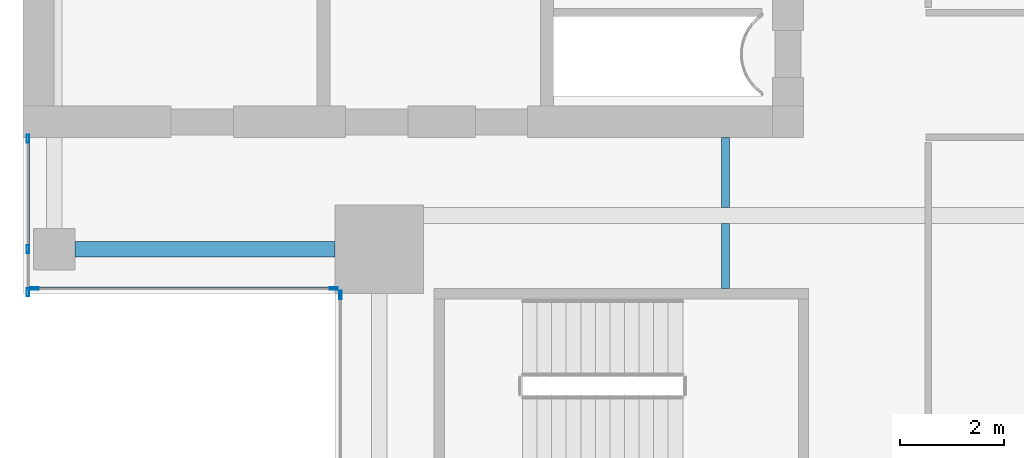
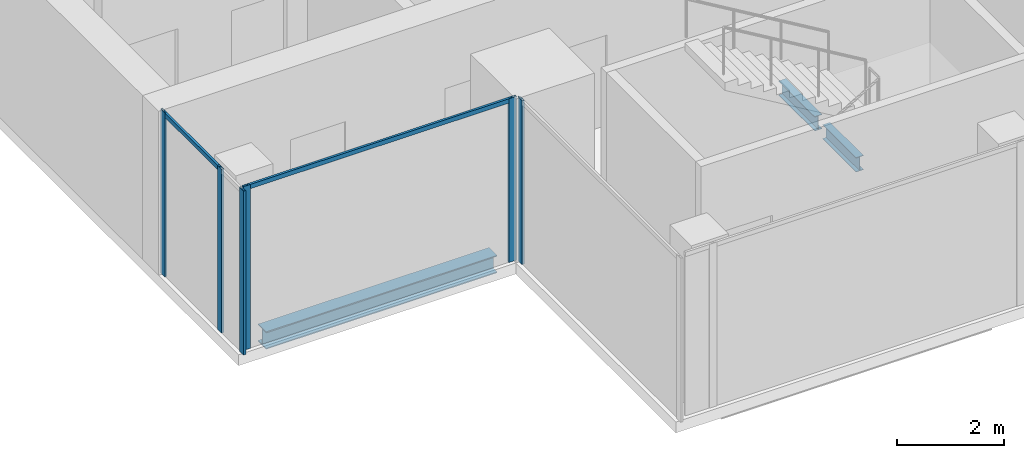
# One storey, part 3 of 28: 8 members, 3 beams, 3 elements without a shape of their own.
"""IFC4 building model written with IfcOpenShell, lengths in metres."""

import ifcopenshell
import ifcopenshell.guid

model = None  # the IFC model being written
_history = None  # IfcOwnerHistory: only IFC2X3 demands one
_inside = {}  # id of a spatial element -> (the spatial element, [elements in it])
_under = {}  # id of a project, library or spatial element -> (it, [spatial elements below it])
_declared = {}  # id of a project -> (the project, [libraries it declares])
_typed = {}  # id of a type object -> (the type object, [elements of that type])
_made_of = {}  # id of a material, layer set ... -> (it, [elements and type objects made of it])


def new_model(schema):
    """Start an empty IFC model of exactly this schema.

    Asked for "IFC4X3", IfcOpenShell would pick the latest addendum, in which some entities
    have other attributes; the version numbers below select the first issue.
    IFC2X3 requires an IfcOwnerHistory on every rooted entity: one is made here for all.
    """
    global model, _history
    if schema == "IFC4X3":
        model = ifcopenshell.file(schema_version=(4, 3, 0, 0))
    else:
        model = ifcopenshell.file(schema=schema)
    _inside.clear()
    _under.clear()
    _declared.clear()
    _typed.clear()
    _made_of.clear()
    _history = None
    if model.schema == "IFC2X3":
        org = make("IfcOrganization", Name="unknown")
        user = make(
            "IfcPersonAndOrganization",
            ThePerson=make("IfcPerson", FamilyName="unknown"),
            TheOrganization=org,
        )
        app = make(
            "IfcApplication",
            ApplicationDeveloper=org,
            Version="unknown",
            ApplicationFullName="unknown",
            ApplicationIdentifier="unknown",
        )
        _history = make(
            "IfcOwnerHistory",
            OwningUser=user,
            OwningApplication=app,
            ChangeAction="ADDED",
            CreationDate=0,
        )
    return model


def make(cls, **values):
    """One entity of the class cls with the attributes given. An attribute that is None is left unset."""
    return model.create_entity(
        cls, **{name: value for name, value in values.items() if value is not None}
    )


def rooted(cls, **values):
    """An entity with a GlobalId (a new one), such as an element, a storey or a relation."""
    return make(cls, GlobalId=ifcopenshell.guid.new(), OwnerHistory=_history, **values)


def si_unit(unit_type, name, prefix=None):
    """IfcSIUnit, for example si_unit("LENGTHUNIT", "METRE", prefix="MILLI")."""
    return make("IfcSIUnit", UnitType=unit_type, Prefix=prefix, Name=name)


def assignment(units):
    """IfcUnitAssignment: the units of a project."""
    return None if units is None else make("IfcUnitAssignment", Units=units)


def point(xyz):
    """IfcCartesianPoint."""
    return None if xyz is None else make("IfcCartesianPoint", Coordinates=xyz)


def direction(xyz):
    """IfcDirection."""
    return None if xyz is None else make("IfcDirection", DirectionRatios=xyz)


def frame(location, z_axis=None, x_axis=None):
    """IfcAxis2Placement3D, a coordinate frame: its origin and axes. An axis left out is left unset."""
    return make(
        "IfcAxis2Placement3D",
        Location=point(location),
        Axis=direction(z_axis),
        RefDirection=direction(x_axis),
    )


def frame_2d(location, x_axis=None):
    """IfcAxis2Placement2D, a coordinate frame in the plane: its origin and x axis."""
    return make(
        "IfcAxis2Placement2D", Location=point(location), RefDirection=direction(x_axis)
    )


def origin():
    """The frame at (0, 0, 0) with its axes left unset."""
    return frame((0.0, 0.0, 0.0))


def origin_2d():
    """The frame at (0, 0) in the plane with its x axis left unset."""
    return frame_2d((0.0, 0.0))


def place(relative_to, where):
    """IfcLocalPlacement: puts the frame where relative to a parent placement (None: the world)."""
    return make(
        "IfcLocalPlacement", PlacementRelTo=relative_to, RelativePlacement=where
    )


def context(
    kind, dimensions, precision=None, world=None, true_north=None, identifier=None
):
    """IfcGeometricRepresentationContext, for example the 3D "Model" context."""
    return make(
        "IfcGeometricRepresentationContext",
        ContextIdentifier=identifier,
        ContextType=kind,
        CoordinateSpaceDimension=dimensions,
        Precision=precision,
        WorldCoordinateSystem=world,
        TrueNorth=true_north,
    )


def subcontext(parent, identifier, kind, view, scale=None):
    """IfcGeometricRepresentationSubContext, for example "Body" below "Model"."""
    return make(
        "IfcGeometricRepresentationSubContext",
        ContextIdentifier=identifier,
        ContextType=kind,
        ParentContext=parent,
        TargetScale=scale,
        TargetView=view,
    )


def project(units=None, contexts=None):
    """IfcProject with its units and contexts."""
    return rooted(
        "IfcProject",
        Name="project",
        RepresentationContexts=contexts,
        UnitsInContext=assignment(units),
    )


def spatial(cls, under=None, at=None, **own):
    """A site, building, storey or space (cls), placed at a placement, below another one or the project."""
    s = rooted(cls, ObjectPlacement=at, **own)
    if under is not None:
        _under.setdefault(under.id(), (under, []))[1].append(s)
    return s


def profile(cls, at=None, kind="AREA", **sizes):
    """A parametric profile (cls). Its sizes go by their IFC names, for example OverallWidth=200.0."""
    return make(cls, ProfileType=kind, Position=at, **sizes)


def hollow_rectangle(**sizes):
    """IfcRectangleHollowProfileDef."""
    return profile("IfcRectangleHollowProfileDef", **sizes)


def i_section(**sizes):
    """IfcIShapeProfileDef."""
    return profile("IfcIShapeProfileDef", **sizes)


def extrude(swept, where, along, depth):
    """IfcExtrudedAreaSolid: the profile swept, set in the frame where, extruded along a direction by depth."""
    return make(
        "IfcExtrudedAreaSolid",
        SweptArea=swept,
        Position=where,
        ExtrudedDirection=direction(along),
        Depth=depth,
    )


def shape(context_of_items, identifier, shape_type, items):
    """IfcShapeRepresentation: the items that make up one representation, for example the "Body"."""
    return make(
        "IfcShapeRepresentation",
        ContextOfItems=context_of_items,
        RepresentationIdentifier=identifier,
        RepresentationType=shape_type,
        Items=items,
    )


def source(mapping_origin, context_of_items, identifier, shape_type, items):
    """IfcRepresentationMap: a shape defined once, which mapped items show again and again."""
    return make(
        "IfcRepresentationMap",
        MappingOrigin=mapping_origin,
        MappedRepresentation=shape(context_of_items, identifier, shape_type, items),
    )


def transform(
    local_origin,
    x_axis=None,
    y_axis=None,
    z_axis=None,
    scale=None,
    scale2=None,
    scale3=None,
    uniform=True,
):
    """IfcCartesianTransformationOperator3D, or its non-uniform kind. x_axis, y_axis, z_axis: its Axis1, 2, 3."""
    if uniform:
        return make(
            "IfcCartesianTransformationOperator3D",
            Axis1=direction(x_axis),
            Axis2=direction(y_axis),
            LocalOrigin=point(local_origin),
            Scale=scale,
            Axis3=direction(z_axis),
        )
    return make(
        "IfcCartesianTransformationOperator3DnonUniform",
        Axis1=direction(x_axis),
        Axis2=direction(y_axis),
        LocalOrigin=point(local_origin),
        Scale=scale,
        Axis3=direction(z_axis),
        Scale2=scale2,
        Scale3=scale3,
    )


def mapped(mapping_source, mapping_target):
    """IfcMappedItem: shows the shape of a source again, moved by a transform."""
    return make(
        "IfcMappedItem", MappingSource=mapping_source, MappingTarget=mapping_target
    )


def material(Name=None, Category=None):
    """IfcMaterial."""
    return make("IfcMaterial", Name=Name, Category=Category)


def material_profile(
    of_material, cross_section, Name=None, Category=None, Priority=None
):
    """IfcMaterialProfile: a cross section and its material."""
    return make(
        "IfcMaterialProfile",
        Name=Name,
        Material=of_material,
        Profile=cross_section,
        Priority=Priority,
        Category=Category,
    )


def profile_set(profiles, Name=None, composite=None):
    """IfcMaterialProfileSet."""
    return make(
        "IfcMaterialProfileSet",
        Name=Name,
        MaterialProfiles=profiles,
        CompositeProfile=composite,
    )


def made_of(thing, what):
    """Note that an element or type object is made of a material, layer set ...; save() writes the relation."""
    if what is not None:
        _made_of.setdefault(what.id(), (what, []))[1].append(thing)
    return thing


def type_object(cls, material=None, **own):
    """A type object (cls), such as IfcWallType, which elements share."""
    return made_of(rooted(cls, **own), material)


def element(
    cls,
    number,
    at=None,
    inside=None,
    cuts=None,
    type_object=None,
    material=None,
    context=None,
    identifier="Body",
    shape_type=None,
    held_by="IfcProductDefinitionShape",
    body=None,
    shapes=None,
    **own,
):
    """One element of the class cls, such as IfcWall. Its Tag is "e" and its number.

    at: its placement. inside: the storey or other place that contains it. cuts: it is an
    opening in that element (IfcRelVoidsElement). A single representation is given by context,
    identifier, shape_type and body (its items); several are given by shapes. held_by: the class
    of the entity that holds the representations. save() writes the other relations.
    """
    e = rooted(cls, Tag="e%d" % number, ObjectPlacement=at, **own)
    if body is not None:
        shapes = [shape(context, identifier, shape_type, body)]
    if shapes is not None:
        e.Representation = make(held_by, Representations=shapes)
    if inside is not None:
        _inside.setdefault(inside.id(), (inside, []))[1].append(e)
    if cuts is not None:
        rooted(
            "IfcRelVoidsElement", RelatingBuildingElement=cuts, RelatedOpeningElement=e
        )
    if type_object is not None:
        _typed.setdefault(type_object.id(), (type_object, []))[1].append(e)
    return made_of(e, material)


def aggregate(whole, parts):
    """IfcRelAggregates: a whole, such as a stair, and the parts it consists of."""
    return rooted("IfcRelAggregates", RelatingObject=whole, RelatedObjects=parts)


def save(model, path):
    """Write the relations noted so far, then the file.

    IfcRelAggregates (storeys below a building ...), IfcRelContainedInSpatialStructure (elements
    in a storey), IfcRelDefinesByType, IfcRelAssociatesMaterial and IfcRelDeclares: one each for
    every whole, place, type object, material and project.
    """
    for whole, parts in _under.values():
        aggregate(whole, parts)
    for where, things in _inside.values():
        rooted(
            "IfcRelContainedInSpatialStructure",
            RelatedElements=things,
            RelatingStructure=where,
        )
    for kind, things in _typed.values():
        rooted("IfcRelDefinesByType", RelatedObjects=things, RelatingType=kind)
    for what, things in _made_of.values():
        rooted("IfcRelAssociatesMaterial", RelatedObjects=things, RelatingMaterial=what)
    for by, libraries in _declared.values():
        rooted("IfcRelDeclares", RelatingContext=by, RelatedDefinitions=libraries)
    model.write(path)


model = new_model("IFC4")

# Units and contexts
model_context = context("Model", 3, precision=1e-05, world=origin(), true_north=direction((0.0, 1.0)))
body_context = subcontext(model_context, "Body", "Model", "MODEL_VIEW")
ifc_project = project(units=[si_unit("LENGTHUNIT", "METRE"), si_unit("AREAUNIT", "SQUARE_METRE"), si_unit("VOLUMEUNIT", "CUBIC_METRE"), si_unit("PLANEANGLEUNIT", "RADIAN"), si_unit("MASSUNIT", "GRAM", prefix="KILO")], contexts=[model_context])

# Site, building, storey
site_placement = place(None, origin())
site = spatial("IfcSite", under=ifc_project, at=site_placement, CompositionType="ELEMENT")
building_placement = place(site_placement, origin())
building = spatial("IfcBuilding", under=site, at=building_placement, Name="Khomas Fold Tower", CompositionType="ELEMENT")
storey_placement = place(building_placement, frame((0.0, 0.0, 298.199951171875)))
storey = spatial("IfcBuildingStorey", under=building, at=storey_placement, Name="L67", CompositionType="ELEMENT", Elevation=298.199951171875)

# Beams
ifc_material_1 = material(Name="Steel S355", Category="steel")
ifc_material_profile_1 = material_profile(ifc_material_1, i_section(OverallWidth=0.159912109375, OverallDepth=0.330078125, WebThickness=0.007568359375, FlangeThickness=0.011474609375, at=origin_2d()), Name="IPE 330")
ifc_profile_set_1 = profile_set([ifc_material_profile_1], Name="Steel S355")
beam_type_1 = type_object("IfcBeamType", Name="IPE 330 beam JB1", PredefinedType="BEAM", material=ifc_profile_set_1)
shared_shape_1 = source(origin(), body_context, "Body", "SweptSolid", [
    extrude(i_section(OverallWidth=0.159912109375, OverallDepth=0.330078125, WebThickness=0.007568359375, FlangeThickness=0.011474609375, at=origin_2d()), origin(), (0.0, 0.0, 1.0), 1.25),
])
beam_1_placement = place(storey_placement, frame((19.5, 12.10009765625, -0.4150390625), z_axis=(0.0, 1.0, 0.0), x_axis=(-1.0, 0.0, 0.0)))
element("IfcBeam", 1, at=beam_1_placement, inside=storey, type_object=beam_type_1, Name="JB1", PredefinedType="BEAM", context=body_context, shape_type="MappedRepresentation", body=[
    mapped(shared_shape_1, transform((0.0, 0.0, 0.0))),
])
shared_shape_2 = source(origin(), body_context, "Body", "SweptSolid", [
    extrude(i_section(OverallWidth=0.159912109375, OverallDepth=0.330078125, WebThickness=0.007568359375, FlangeThickness=0.011474609375, at=origin_2d()), origin(), (0.0, 0.0, 1.0), 1.35009765625),
])
beam_2_placement = place(storey_placement, frame((19.5, 13.64990234375, -0.4150390625), z_axis=(0.0, 1.0, 0.0), x_axis=(-1.0, 0.0, 0.0)))
element("IfcBeam", 2, at=beam_2_placement, inside=storey, type_object=beam_type_1, Name="JB1", PredefinedType="BEAM", context=body_context, shape_type="MappedRepresentation", body=[
    mapped(shared_shape_2, transform((0.0, 0.0, 0.0))),
])
ifc_material_2 = material(Name="Steel S355", Category="steel")
ifc_material_profile_2 = material_profile(ifc_material_2, i_section(OverallWidth=0.300048828125, OverallDepth=0.39990234375, WebThickness=0.013427734375, FlangeThickness=0.02392578125, at=origin_2d()), Name="HE 400 B")
ifc_profile_set_2 = profile_set([ifc_material_profile_2], Name="Steel S355")
beam_type_2 = type_object("IfcBeamType", Name="HE 400 B spandrel SB5", PredefinedType="SPANDREL", material=ifc_profile_set_2)
shared_shape_3 = source(origin(), body_context, "Body", "SweptSolid", [
    extrude(i_section(OverallWidth=0.300048828125, OverallDepth=0.39990234375, WebThickness=0.013427734375, FlangeThickness=0.02392578125, at=origin_2d()), origin(), (0.0, 0.0, 1.0), 5.0),
])
beam_3_placement = place(storey_placement, frame((7.0, 12.85009765625, -0.449951171875), z_axis=(1.0, 0.0, 0.0), x_axis=(0.0, 1.0, 0.0)))
element("IfcBeam", 3, at=beam_3_placement, inside=storey, type_object=beam_type_2, Name="SB5", PredefinedType="SPANDREL", context=body_context, shape_type="MappedRepresentation", body=[
    mapped(shared_shape_3, transform((0.0, 0.0, 0.0))),
])

# Curtain wall, members
ifc_material_3 = material(Name="Aluminium framed double glazing", Category="aluminium")
curtain_wall_type = type_object("IfcCurtainWallType", Name="SK-Unitised clear-glass wall, upper floors CW3", PredefinedType="NOTDEFINED", material=ifc_material_3)
curtain_wall_1_placement = place(storey_placement, origin())
curtain_wall_1 = element("IfcCurtainWall", 4, at=curtain_wall_1_placement, inside=storey, type_object=curtain_wall_type, Name="CW3 run L67 09-1", PredefinedType="NOTDEFINED")
ifc_material_4 = material(Name="Aluminium", Category="aluminium")
ifc_material_profile_3 = material_profile(ifc_material_4, hollow_rectangle(XDim=0.050048828125, YDim=0.159912109375, WallThickness=0.00390625, at=origin_2d()), Name="SK-Unitised clear-glass wall, upper floors mullion CW3-M")
ifc_profile_set_3 = profile_set([ifc_material_profile_3], Name="Aluminium")
member_type_1 = type_object("IfcMemberType", Name="SK-Unitised clear-glass wall, upper floors mullion CW3-M", PredefinedType="MULLION", material=ifc_profile_set_3)
shared_shape_4 = source(origin(), body_context, "Body", "SweptSolid", [
    extrude(hollow_rectangle(XDim=0.050048828125, YDim=0.159912109375, WallThickness=0.00390625, at=origin_2d()), origin(), (0.0, 0.0, 1.0), 3.75),
])
member_1_placement = place(storey_placement, frame((6.10009765625, 14.97509765625, 0.0), z_axis=(0.0, 0.0, 1.0), x_axis=(1.0, 0.0, 0.0)))
member_1 = element("IfcMember", 5, at=member_1_placement, type_object=member_type_1, Name="CW3 mullion 1", PredefinedType="MULLION", context=body_context, shape_type="MappedRepresentation", body=[
    mapped(shared_shape_4, transform((0.0, 0.0, 0.0))),
])
member_2_placement = place(storey_placement, frame((6.10009765625, 12.85009765625, 0.0), z_axis=(0.0, 0.0, 1.0), x_axis=(1.0, 0.0, 0.0)))
member_2 = element("IfcMember", 6, at=member_2_placement, type_object=member_type_1, Name="CW3 mullion 2", PredefinedType="MULLION", context=body_context, shape_type="MappedRepresentation", body=[
    mapped(shared_shape_4, transform((0.0, 0.0, 0.0))),
])
member_3_placement = place(storey_placement, frame((6.10009765625, 12.02490234375, 0.0), z_axis=(0.0, 0.0, 1.0), x_axis=(1.0, 0.0, 0.0)))
member_3 = element("IfcMember", 7, at=member_3_placement, type_object=member_type_1, Name="CW3 mullion 3", PredefinedType="MULLION", context=body_context, shape_type="MappedRepresentation", body=[
    mapped(shared_shape_4, transform((0.0, 0.0, 0.0))),
])

curtain_wall_2_placement = place(storey_placement, origin())
curtain_wall_2 = element("IfcCurtainWall", 8, at=curtain_wall_2_placement, inside=storey, type_object=curtain_wall_type, Name="CW3 corner return L67 10", PredefinedType="NOTDEFINED")
member_4_placement = place(storey_placement, frame((6.22509765625, 12.10009765625, 0.0), z_axis=(0.0, 0.0, 1.0), x_axis=(0.0, 1.0, 0.0)))
member_4 = element("IfcMember", 9, at=member_4_placement, type_object=member_type_1, Name="CW3 mullion 1", PredefinedType="MULLION", context=body_context, shape_type="MappedRepresentation", body=[
    mapped(shared_shape_4, transform((0.0, 0.0, 0.0))),
])
member_5_placement = place(storey_placement, frame((11.97509765625, 12.10009765625, 0.0), z_axis=(0.0, 0.0, 1.0), x_axis=(0.0, 1.0, 0.0)))
member_5 = element("IfcMember", 10, at=member_5_placement, type_object=member_type_1, Name="CW3 mullion 2", PredefinedType="MULLION", context=body_context, shape_type="MappedRepresentation", body=[
    mapped(shared_shape_4, transform((0.0, 0.0, 0.0))),
])

# Curtain wall, member
curtain_wall_3_placement = place(storey_placement, origin())
curtain_wall_3 = element("IfcCurtainWall", 11, at=curtain_wall_3_placement, inside=storey, type_object=curtain_wall_type, Name="CW3 corner return L67 11", PredefinedType="NOTDEFINED")
member_6_placement = place(storey_placement, frame((12.10009765625, 11.97509765625, 0.0), z_axis=(0.0, 0.0, 1.0), x_axis=(1.0, 0.0, 0.0)))
member_6 = element("IfcMember", 12, at=member_6_placement, type_object=member_type_1, Name="CW3 mullion 1", PredefinedType="MULLION", context=body_context, shape_type="MappedRepresentation", body=[
    mapped(shared_shape_4, transform((0.0, 0.0, 0.0))),
])
aggregate(curtain_wall_3, [member_6])

# Member
ifc_material_5 = material(Name="Aluminium", Category="aluminium")
ifc_material_profile_4 = material_profile(ifc_material_5, hollow_rectangle(XDim=0.050048828125, YDim=0.10009765625, WallThickness=0.00390625, at=origin_2d()), Name="SK-Unitised clear-glass wall, upper floors transom CW3-T")
ifc_profile_set_4 = profile_set([ifc_material_profile_4], Name="Aluminium")
member_type_2 = type_object("IfcMemberType", Name="SK-Unitised clear-glass wall, upper floors transom CW3-T", PredefinedType="USERDEFINED", material=ifc_profile_set_4)
shared_shape_5 = source(origin(), body_context, "Body", "SweptSolid", [
    extrude(hollow_rectangle(XDim=0.050048828125, YDim=0.10009765625, WallThickness=0.00390625, at=origin_2d()), origin(), (0.0, 0.0, 1.0), 5.699951171875),
])
member_7_placement = place(storey_placement, frame((6.25, 12.10009765625, 3.699951171875), z_axis=(1.0, 0.0, 0.0), x_axis=(0.0, 1.0, 0.0)))
member_7 = element("IfcMember", 13, at=member_7_placement, type_object=member_type_2, Name="CW3 transom 1", ObjectType="TRANSOM", PredefinedType="USERDEFINED", context=body_context, shape_type="MappedRepresentation", body=[
    mapped(shared_shape_5, transform((0.0, 0.0, 0.0))),
])

aggregate(curtain_wall_2, [member_4, member_5, member_7])

shared_shape_6 = source(origin(), body_context, "Body", "SweptSolid", [
    extrude(hollow_rectangle(XDim=0.050048828125, YDim=0.10009765625, WallThickness=0.00390625, at=origin_2d()), origin(), (0.0, 0.0, 1.0), 2.074951171875),
])
member_8_placement = place(storey_placement, frame((6.10009765625, 14.949951171875, 3.699951171875), z_axis=(0.0, -1.0, 0.0), x_axis=(1.0, 0.0, 0.0)))
member_8 = element("IfcMember", 14, at=member_8_placement, type_object=member_type_2, Name="CW3 transom 1", ObjectType="TRANSOM", PredefinedType="USERDEFINED", context=body_context, shape_type="MappedRepresentation", body=[
    mapped(shared_shape_6, transform((0.0, 0.0, 0.0))),
])

aggregate(curtain_wall_1, [member_1, member_2, member_3, member_8])

save(model, "model.ifc")
